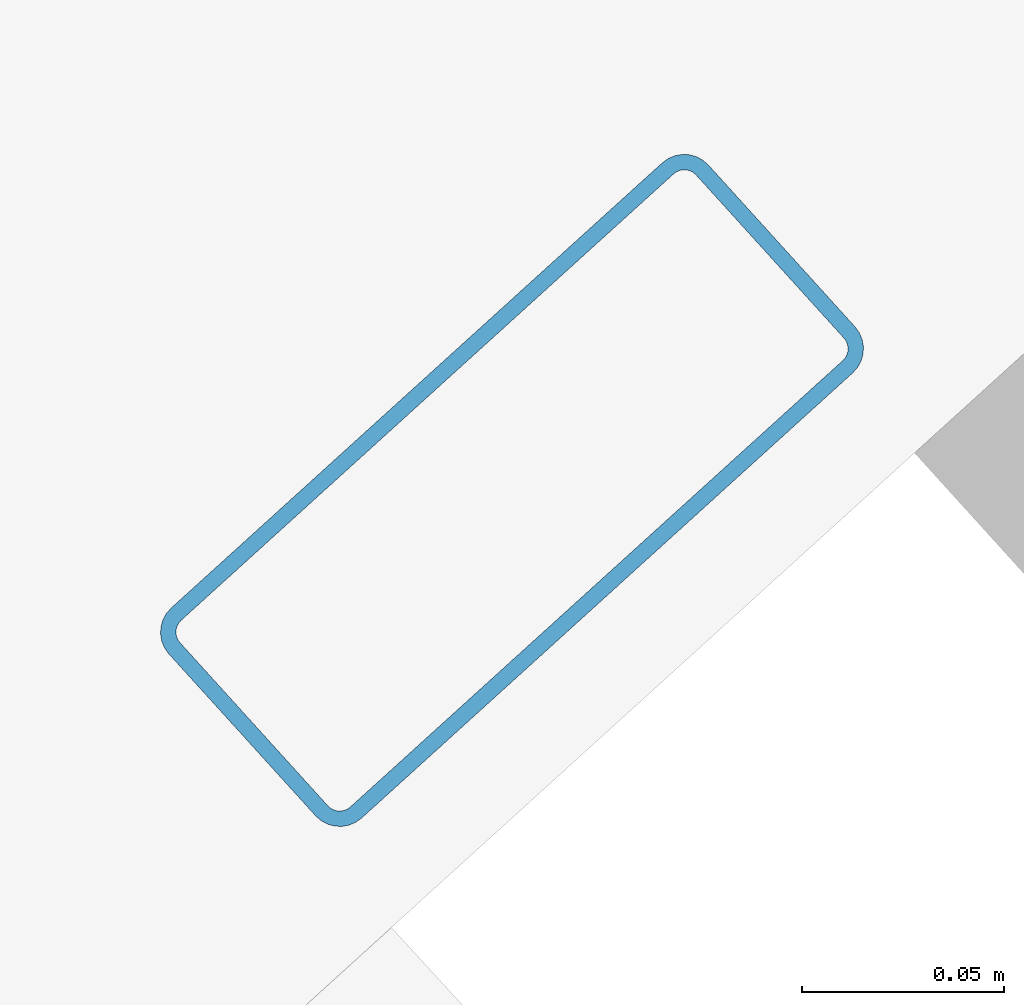
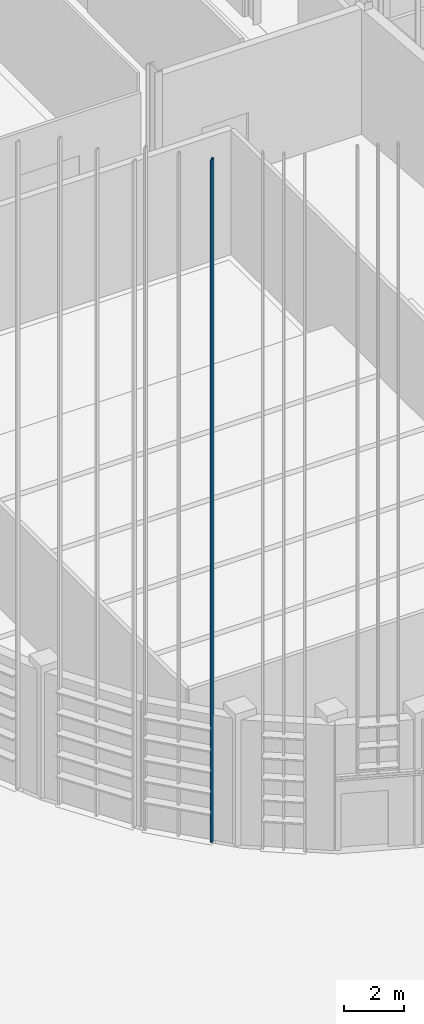
# One storey, part 17 of 372: 1 member.
"""IFC4 building model written with IfcOpenShell, lengths in metres."""

from ifc_helpers import new_model, si_unit, direction, frame, origin, origin_2d, place, context, subcontext, project, spatial, hollow_rectangle, extrude, material, material_profile, profile_set, type_object, element, save


model = new_model("IFC4")

# Units and contexts
model_context = context("Model", 3, precision=1e-05, world=origin(), true_north=direction((0.0, 1.0)))
body_context = subcontext(model_context, "Body", "Model", "MODEL_VIEW")
ifc_project = project(units=[si_unit("LENGTHUNIT", "METRE"), si_unit("AREAUNIT", "SQUARE_METRE"), si_unit("VOLUMEUNIT", "CUBIC_METRE"), si_unit("PLANEANGLEUNIT", "RADIAN"), si_unit("MASSUNIT", "GRAM", prefix="KILO")], contexts=[model_context])

# Site, building, storey
site_placement = place(None, origin())
site = spatial("IfcSite", under=ifc_project, at=site_placement, CompositionType="ELEMENT")
building_placement = place(site_placement, origin())
building = spatial("IfcBuilding", under=site, at=building_placement, Name="Kaelora Sail Theatre", CompositionType="ELEMENT")
storey_placement = place(building_placement, origin())
storey = spatial("IfcBuildingStorey", under=building, at=storey_placement, Name="L00", CompositionType="ELEMENT", Elevation=0.0)

# Member
ifc_material = material(Name="Anodised aluminium 6063-T6", Category="aluminium")
ifc_material_profile = material_profile(ifc_material, hollow_rectangle(XDim=0.070068359375, YDim=0.179931640625, WallThickness=0.00390625, InnerFilletRadius=0.00390625, OuterFilletRadius=0.008056640625, at=origin_2d()), Name="ALU-MULL 70x180x4")
ifc_profile_set = profile_set([ifc_material_profile], Name="Anodised aluminium 6063-T6")
member_type = type_object("IfcMemberType", Name="ARC-MEM-PST-160", PredefinedType="POST", material=ifc_profile_set)
member_placement = place(storey_placement, frame((33.080078125, 27.680419921875, 0.0), z_axis=(0.0, 0.0, 1.0), x_axis=(-0.6715912843, 0.740921822362, 0.0)))
element("IfcMember", 1, at=member_placement, inside=storey, type_object=member_type, Name="Main Theatre Sail Drum solar louvre vertical support post C15-1", PredefinedType="POST", context=body_context, shape_type="SweptSolid", body=[
    extrude(hollow_rectangle(XDim=0.070068359375, YDim=0.179931640625, WallThickness=0.00390625, InnerFilletRadius=0.00390625, OuterFilletRadius=0.008056640625, at=origin_2d()), origin(), (0.0, 0.0, 1.0), 27.846435546875),
])

save(model, "model.ifc")
